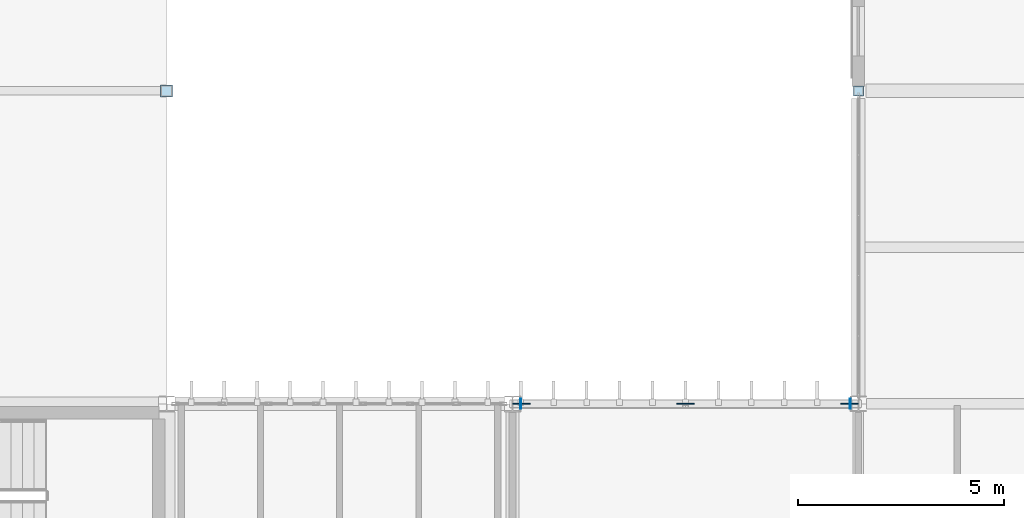
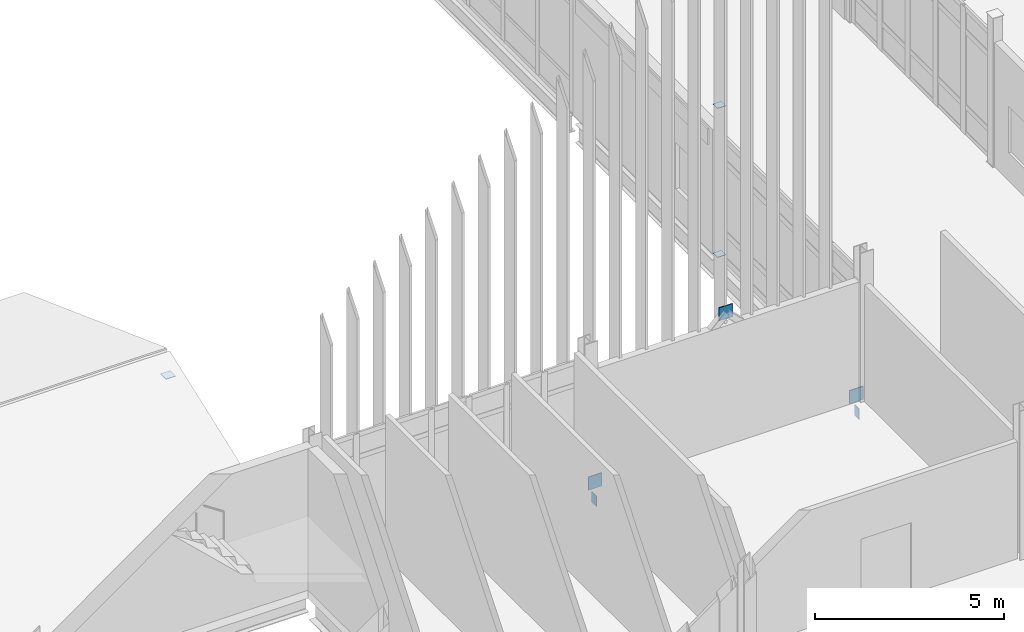
# One storey, part 111 of 153: 8 plates.
"""IFC4 building model written with IfcOpenShell, lengths in metres."""

from ifc_helpers import new_model, si_unit, direction, frame, origin, origin_2d, place, context, subcontext, project, spatial, rectangle, extrude, material, layer, layer_set, type_object, element, save


model = new_model("IFC4")

# Units and contexts
model_context = context("Model", 3, precision=1e-05, world=origin(), true_north=direction((0.0, 1.0)))
body_context = subcontext(model_context, "Body", "Model", "MODEL_VIEW")
ifc_project = project(units=[si_unit("LENGTHUNIT", "METRE"), si_unit("AREAUNIT", "SQUARE_METRE"), si_unit("VOLUMEUNIT", "CUBIC_METRE"), si_unit("PLANEANGLEUNIT", "RADIAN"), si_unit("MASSUNIT", "GRAM", prefix="KILO")], contexts=[model_context])

# Site, building, storey
site_placement = place(None, origin())
site = spatial("IfcSite", under=ifc_project, at=site_placement, CompositionType="ELEMENT")
building_placement = place(site_placement, origin())
building = spatial("IfcBuilding", under=site, at=building_placement, Name="Calvrana Isthmian Art Gallery", CompositionType="ELEMENT")
storey_placement = place(building_placement, frame((0.0, 0.0, 10.199951171875)))
storey = spatial("IfcBuildingStorey", under=building, at=storey_placement, Name="L02", CompositionType="ELEMENT", Elevation=10.199951171875)

# Plates
ifc_material = material(Name="Steel ASTM A572 Gr 50", Category="steel")
ifc_layer_1 = layer(ifc_material, 0.01611328125, Name="Steel ASTM A572 Gr 50")
ifc_layer_set_1 = layer_set([ifc_layer_1], Name="Steel ASTM A572 Gr 50")
plate_type_1 = type_object("IfcPlateType", Name="PL-CAP-16", PredefinedType="SHEET", material=ifc_layer_set_1)
for number, where, z_axis, x_axis, name in (
    (1, (55.199951171875, 54.39990234375, -0.008056640625), (0.0, 0.0, 1.0), (1.0, 0.0, 0.0), "Hollow section end cap plate 107"),
    (2, (55.199951171875, 54.39990234375, 4.7919921875), (0.0, 0.0, 1.0), (1.0, 0.0, 0.0), "Hollow section end cap plate 108"),
):
    element("IfcPlate", number, at=place(storey_placement, frame(where, z_axis=z_axis, x_axis=x_axis)), inside=storey, type_object=plate_type_1, Name=name, PredefinedType="SHEET", context=body_context, shape_type="SweptSolid", body=[
        extrude(rectangle(XDim=0.2431640625, YDim=0.2431640625, at=origin_2d()), origin(), (0.0, 0.0, 1.0), 0.01611328125),
    ])
for number, where, z_axis, x_axis, name in (
    (3, (46.998046875, 46.800048828125, -0.589599609375), (0.0, 0.0, 1.0), (1.0, 0.0, 0.0), "Hollow section end cap plate 453"),
    (4, (55.0029296875, 46.800048828125, -0.589599609375), (0.0, 0.0, 1.0), (1.0, 0.0, 0.0), "Hollow section end cap plate 454"),
):
    element("IfcPlate", number, at=place(storey_placement, frame(where, z_axis=z_axis, x_axis=x_axis)), inside=storey, type_object=plate_type_1, Name=name, PredefinedType="SHEET", context=body_context, shape_type="SweptSolid", body=[
        extrude(rectangle(XDim=0.01611328125, YDim=0.2431640625, at=origin_2d()), origin(), (0.0, 0.0, 1.0), 0.3447265625),
    ])
plate_placement = place(storey_placement, frame((38.39990234375, 54.39990234375, 1.971923828125), z_axis=(0.0, 0.0, 1.0), x_axis=(1.0, 0.0, 0.0)))
element("IfcPlate", 5, at=plate_placement, inside=storey, type_object=plate_type_1, Name="Hollow section end cap plate 510", PredefinedType="SHEET", context=body_context, shape_type="SweptSolid", body=[
    extrude(rectangle(XDim=0.2939453125, YDim=0.2939453125, at=origin_2d()), origin(), (0.0, 0.0, 1.0), 0.01611328125),
])
ifc_layer_2 = layer(ifc_material, 0.031982421875, Name="Steel ASTM A572 Gr 50")
ifc_layer_set_2 = layer_set([ifc_layer_2], Name="Steel ASTM A572 Gr 50")
plate_type_2 = type_object("IfcPlateType", Name="PL-GUSSET-32", PredefinedType="USERDEFINED", material=ifc_layer_set_2)
for number, where, z_axis, x_axis, name in (
    (6, (47.02001953125, 46.800048828125, -0.059814453125), (0.0, 0.0, 1.0), (1.0, 0.0, 0.0), "Chevron brace gusset plate L02-4L"),
    (7, (51.0, 46.800048828125, 3.99853515625), (0.0, 0.0, 1.0), (1.0, 0.0, 0.0), "Chevron brace gusset plate L02-4M"),
    (8, (54.97998046875, 46.800048828125, -0.059814453125), (0.0, 0.0, 1.0), (1.0, 0.0, 0.0), "Chevron brace gusset plate L02-4R"),
):
    element("IfcPlate", number, at=place(storey_placement, frame(where, z_axis=z_axis, x_axis=x_axis)), inside=storey, type_object=plate_type_2, Name=name, ObjectType="GUSSET PLATE", PredefinedType="USERDEFINED", context=body_context, shape_type="SweptSolid", body=[
        extrude(rectangle(XDim=0.419921875, YDim=0.031982421875, at=origin_2d()), origin(), (0.0, 0.0, 1.0), 0.419921875),
    ])

save(model, "model.ifc")
